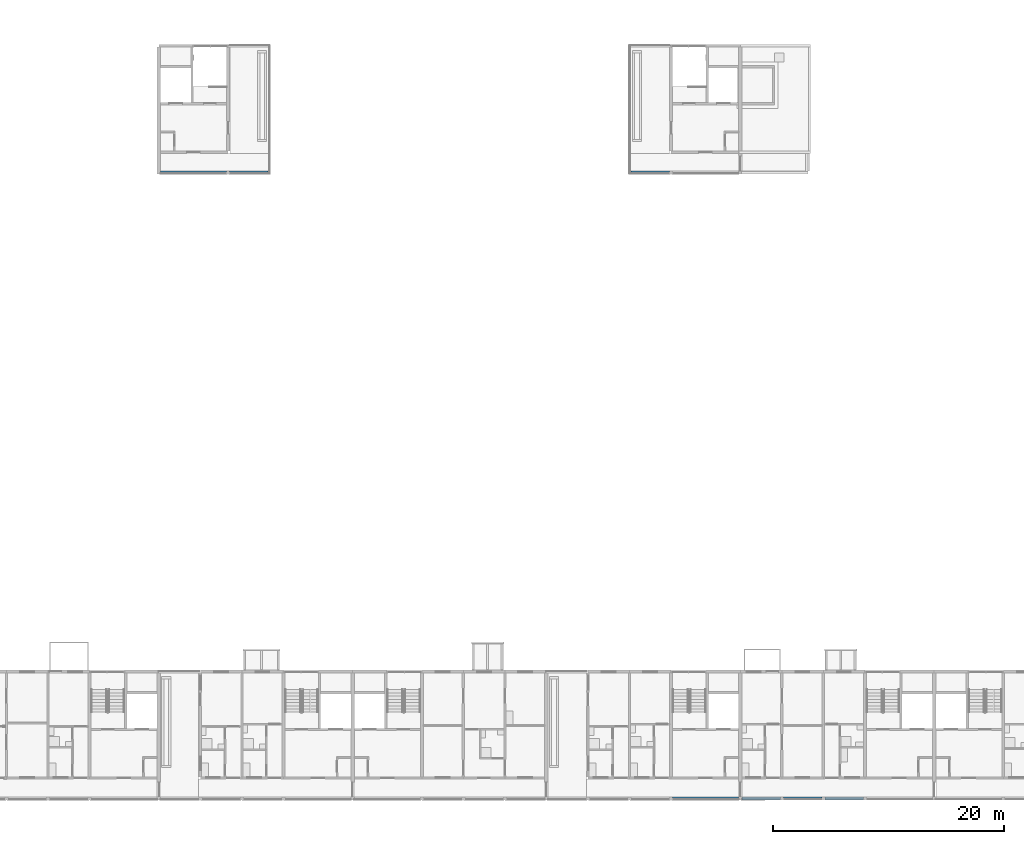
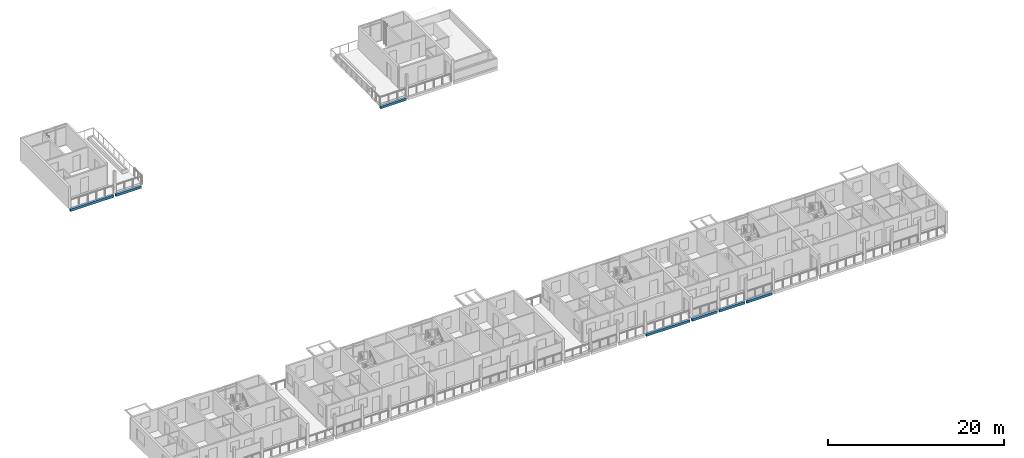
# One storey, part 8 of 78: 7 beams.
"""IFC4 building model written with IfcOpenShell, lengths in metres."""

from ifc_helpers import new_model, si_unit, direction, frame, origin, origin_2d, place, context, subcontext, project, spatial, rectangle, extrude, material, material_profile, profile_set, type_object, element, save


model = new_model("IFC4")

# Units and contexts
model_context = context("Model", 3, precision=1e-05, world=origin(), true_north=direction((0.0, 1.0)))
body_context = subcontext(model_context, "Body", "Model", "MODEL_VIEW")
ifc_project = project(units=[si_unit("LENGTHUNIT", "METRE"), si_unit("AREAUNIT", "SQUARE_METRE"), si_unit("VOLUMEUNIT", "CUBIC_METRE"), si_unit("PLANEANGLEUNIT", "RADIAN"), si_unit("MASSUNIT", "GRAM", prefix="KILO")], contexts=[model_context])

# Site, building, storey
site_placement = place(None, origin())
site = spatial("IfcSite", under=ifc_project, at=site_placement, CompositionType="ELEMENT")
building_placement = place(site_placement, origin())
building = spatial("IfcBuilding", under=site, at=building_placement, Name="Ridgestep Commons", CompositionType="ELEMENT")
storey_placement = place(building_placement, frame((0.0, 0.0, 30.0)))
storey = spatial("IfcBuildingStorey", under=building, at=storey_placement, Name="L10", CompositionType="ELEMENT", Elevation=30.0)

# Beams
ifc_material = material(Name="Precast concrete C40/50", Category="concrete")
ifc_material_profile = material_profile(ifc_material, rectangle(XDim=0.25, YDim=0.35009765625, at=origin_2d()), Name="PC 250x350")
ifc_profile_set = profile_set([ifc_material_profile], Name="Precast concrete C40/50")
beam_type = type_object("IfcBeamType", Name="Loggia edge beam 250 x 350", PredefinedType="SPANDREL", material=ifc_profile_set)
beam_1_placement = place(storey_placement, frame((73.324951171875, 11.875, -0.375), z_axis=(1.0, 0.0, 0.0), x_axis=(0.0, 1.0, 0.0)))
element("IfcBeam", 1, at=beam_1_placement, inside=storey, type_object=beam_type, Name="Loggia edge beam A4C L10", PredefinedType="SPANDREL", context=body_context, shape_type="SweptSolid", body=[
    extrude(rectangle(XDim=0.25, YDim=0.35009765625, at=origin_2d()), origin(), (0.0, 0.0, 1.0), 5.72509765625),
])
beam_2_placement = place(storey_placement, frame((79.35009765625, 11.875, -0.375), z_axis=(1.0, 0.0, 0.0), x_axis=(0.0, 1.0, 0.0)))
element("IfcBeam", 2, at=beam_2_placement, inside=storey, type_object=beam_type, Name="Loggia edge beam A5T1 L10", PredefinedType="SPANDREL", context=body_context, shape_type="SweptSolid", body=[
    extrude(rectangle(XDim=0.25, YDim=0.35009765625, at=origin_2d()), origin(), (0.0, 0.0, 1.0), 3.324951171875),
])
beam_3_placement = place(storey_placement, frame((82.925048828125, 11.875, -0.375), z_axis=(1.0, 0.0, 0.0), x_axis=(0.0, 1.0, 0.0)))
element("IfcBeam", 3, at=beam_3_placement, inside=storey, type_object=beam_type, Name="Loggia edge beam A5T2 L10", PredefinedType="SPANDREL", context=body_context, shape_type="SweptSolid", body=[
    extrude(rectangle(XDim=0.25, YDim=0.35009765625, at=origin_2d()), origin(), (0.0, 0.0, 1.0), 3.349853515625),
])
beam_4_placement = place(storey_placement, frame((86.52490234375, 11.875, -0.375), z_axis=(1.0, 0.0, 0.0), x_axis=(0.0, 1.0, 0.0)))
element("IfcBeam", 4, at=beam_4_placement, inside=storey, type_object=beam_type, Name="Loggia edge beam A5T3 L10", PredefinedType="SPANDREL", context=body_context, shape_type="SweptSolid", body=[
    extrude(rectangle(XDim=0.25, YDim=0.35009765625, at=origin_2d()), origin(), (0.0, 0.0, 1.0), 3.35009765625),
])
beam_5_placement = place(storey_placement, frame((28.949951171875, 66.125, -0.375), z_axis=(1.0, 0.0, 0.0), x_axis=(0.0, 1.0, 0.0)))
element("IfcBeam", 5, at=beam_5_placement, inside=storey, type_object=beam_type, Name="Loggia edge beam B2C L10", PredefinedType="SPANDREL", context=body_context, shape_type="SweptSolid", body=[
    extrude(rectangle(XDim=0.25, YDim=0.35009765625, at=origin_2d()), origin(), (0.0, 0.0, 1.0), 5.72509765625),
])
for number, where, z_axis, x_axis, name in (
    (6, (34.925048828125, 66.125, -0.375), (1.0, 0.0, 0.0), (0.0, 1.0, 0.0), "Loggia edge beam B2T3 L10"),
    (7, (69.72509765625, 66.125, -0.375), (1.0, 0.0, 0.0), (0.0, 1.0, 0.0), "Loggia edge beam B4T3 L10"),
):
    element("IfcBeam", number, at=place(storey_placement, frame(where, z_axis=z_axis, x_axis=x_axis)), inside=storey, type_object=beam_type, Name=name, PredefinedType="SPANDREL", context=body_context, shape_type="SweptSolid", body=[
        extrude(rectangle(XDim=0.25, YDim=0.35009765625, at=origin_2d()), origin(), (0.0, 0.0, 1.0), 3.349853515625),
    ])

save(model, "model.ifc")
